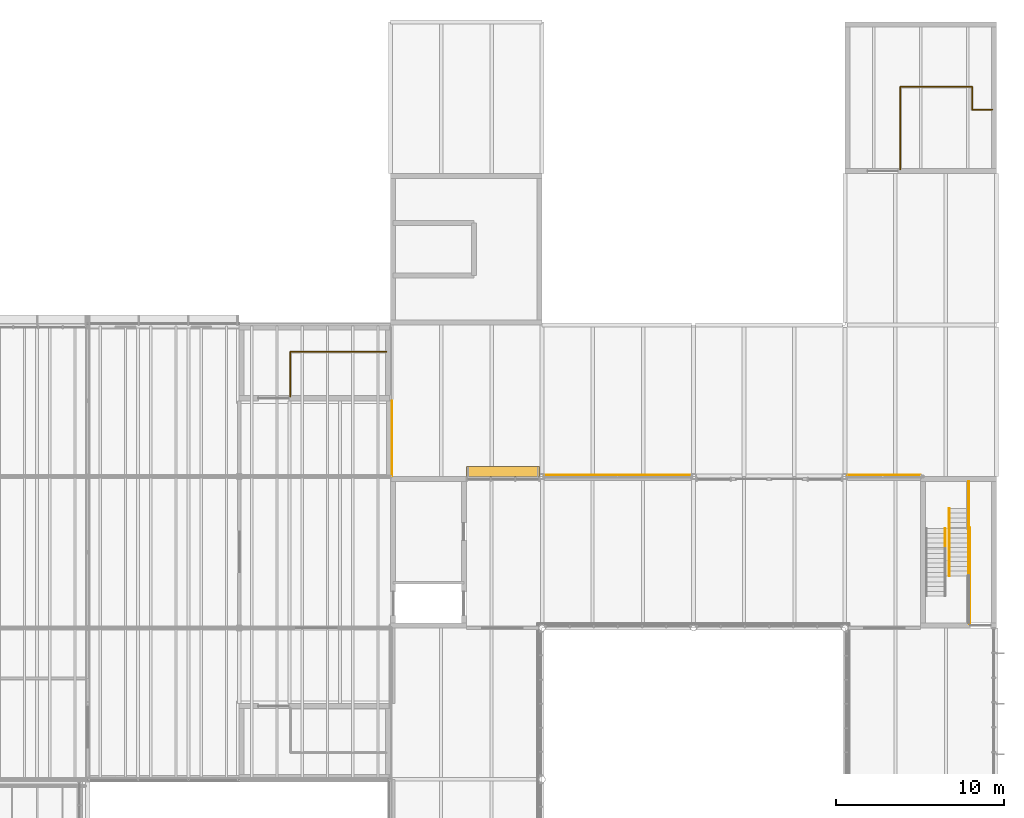
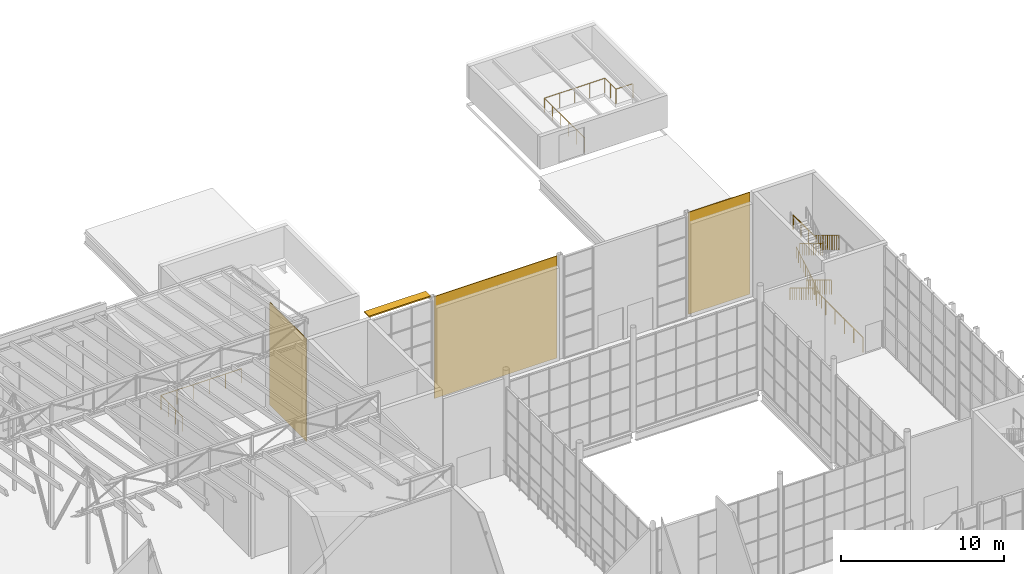
# One storey, part 90 of 90: 9 railings, 3 coverings, 1 shading device.
"""IFC4 building model written with IfcOpenShell, lengths in metres."""

from ifc_helpers import new_model, si_unit, direction, frame, frame_2d, origin, origin_2d, place, context, subcontext, project, spatial, rectangle, circle, extrude, material, layer, layer_set, type_object, element, save


model = new_model("IFC4")

# Units and contexts
model_context = context("Model", 3, precision=1e-05, world=origin(), true_north=direction((0.0, 1.0)))
body_context = subcontext(model_context, "Body", "Model", "MODEL_VIEW")
ifc_project = project(units=[si_unit("LENGTHUNIT", "METRE"), si_unit("AREAUNIT", "SQUARE_METRE"), si_unit("VOLUMEUNIT", "CUBIC_METRE"), si_unit("PLANEANGLEUNIT", "RADIAN"), si_unit("MASSUNIT", "GRAM", prefix="KILO")], contexts=[model_context])

# Site, building, storey
site_placement = place(None, origin())
site = spatial("IfcSite", under=ifc_project, at=site_placement, CompositionType="ELEMENT")
building_placement = place(site_placement, origin())
building = spatial("IfcBuilding", under=site, at=building_placement, Name="Halyard Row Museum", CompositionType="ELEMENT")
storey_placement = place(building_placement, frame((0.0, 0.0, 13.39990234375)))
storey = spatial("IfcBuildingStorey", under=building, at=storey_placement, Name="L03", CompositionType="ELEMENT", Elevation=13.39990234375)

# Railings
ifc_material_1 = material(Name="Steel Grade 300", Category="steel")
railing_type_1 = type_object("IfcRailingType", Name="Guard GR2 steel balustrade 1100", PredefinedType="GUARDRAIL", material=ifc_material_1)
railing_1_placement = place(storey_placement, frame((106.35009765625, 34.10009765625, 0.169677734375)))
element("IfcRailing", 1, at=railing_1_placement, inside=storey, type_object=railing_type_1, Name="Guard GR071", PredefinedType="GUARDRAIL", context=body_context, shape_type="SweptSolid", body=[
    extrude(circle(Radius=0.02392578125, at=origin_2d()), frame((0.0, 0.0, 1.076171875), z_axis=(0.0, -0.855578329207, 0.517673374428), x_axis=(1.0, 0.0, 0.0)), (0.0, 0.0, 1.0), 0.327392578125),
    extrude(circle(Radius=0.02392578125, at=origin_2d()), frame((0.0, -0.280029296875, 1.24560546875), z_axis=(0.0, -0.855247904055, 0.518219087461), x_axis=(1.0, 0.0, 0.0)), (0.0, 0.0, 1.0), 0.327392578125),
    extrude(circle(Radius=0.02392578125, at=origin_2d()), frame((0.0, -0.56005859375, 1.4150390625), z_axis=(0.0, -0.855247904055, 0.518219087461), x_axis=(1.0, 0.0, 0.0)), (0.0, 0.0, 1.0), 0.327392578125),
    extrude(circle(Radius=0.02392578125, at=origin_2d()), frame((0.0, -0.840087890625, 1.5849609375), z_axis=(0.0, -0.855578329207, 0.517673374428), x_axis=(1.0, 0.0, 0.0)), (0.0, 0.0, 1.0), 0.327392578125),
    extrude(circle(Radius=0.02392578125, at=origin_2d()), frame((0.0, -1.1201171875, 1.75439453125), z_axis=(0.0, -0.855247904055, 0.518219087461), x_axis=(1.0, 0.0, 0.0)), (0.0, 0.0, 1.0), 0.327392578125),
    extrude(circle(Radius=0.02392578125, at=origin_2d()), frame((0.0, -1.400146484375, 1.923828125), z_axis=(0.0, -0.855578329207, 0.517673374428), x_axis=(1.0, 0.0, 0.0)), (0.0, 0.0, 1.0), 0.327392578125),
    extrude(circle(Radius=0.02392578125, at=origin_2d()), frame((0.0, -1.68017578125, 2.09326171875), z_axis=(0.0, -0.855247904055, 0.518219087461), x_axis=(1.0, 0.0, 0.0)), (0.0, 0.0, 1.0), 0.327392578125),
    extrude(circle(Radius=0.02392578125, at=origin_2d()), frame((0.0, -1.960205078125, 2.26318359375), z_axis=(0.0, -0.855378239897, 0.518003925382), x_axis=(1.0, 0.0, 0.0)), (0.0, 0.0, 1.0), 0.3271484375),
    extrude(circle(Radius=0.02392578125, at=origin_2d()), frame((0.0, -2.239990234375, 2.4326171875), z_axis=(0.0, -0.855247904055, 0.518219087461), x_axis=(1.0, 0.0, 0.0)), (0.0, 0.0, 1.0), 0.327392578125),
    extrude(circle(Radius=0.02392578125, at=origin_2d()), frame((0.0, -2.52001953125, 2.60205078125), z_axis=(0.0, -0.855578329207, 0.517673374428), x_axis=(1.0, 0.0, 0.0)), (0.0, 0.0, 1.0), 0.327392578125),
    extrude(circle(Radius=0.02392578125, at=origin_2d()), frame((0.0, -2.800048828125, 2.771484375), z_axis=(0.0, -0.855247904055, 0.518219087461), x_axis=(1.0, 0.0, 0.0)), (0.0, 0.0, 1.0), 0.327392578125),
    extrude(circle(Radius=0.02099609375, at=origin_2d()), origin(), (0.0, 0.0, 1.0), 1.052001953125),
    extrude(circle(Radius=0.02099609375, at=origin_2d()), frame((0.0, -0.280029296875, 0.16943359375)), (0.0, 0.0, 1.0), 1.052001953125),
    extrude(circle(Radius=0.02099609375, at=origin_2d()), frame((0.0, -0.56005859375, 0.339111328125)), (0.0, 0.0, 1.0), 1.052001953125),
    extrude(circle(Radius=0.02099609375, at=origin_2d()), frame((0.0, -0.840087890625, 0.5087890625)), (0.0, 0.0, 1.0), 1.052001953125),
    extrude(circle(Radius=0.02099609375, at=origin_2d()), frame((0.0, -1.1201171875, 0.67822265625)), (0.0, 0.0, 1.0), 1.052001953125),
    extrude(circle(Radius=0.02099609375, at=origin_2d()), frame((0.0, -1.400146484375, 0.847900390625)), (0.0, 0.0, 1.0), 1.052001953125),
    extrude(circle(Radius=0.02099609375, at=origin_2d()), frame((0.0, -1.68017578125, 1.017333984375)), (0.0, 0.0, 1.0), 1.052001953125),
    extrude(circle(Radius=0.02099609375, at=origin_2d()), frame((0.0, -1.960205078125, 1.18701171875)), (0.0, 0.0, 1.0), 1.052001953125),
    extrude(circle(Radius=0.02099609375, at=origin_2d()), frame((0.0, -2.239990234375, 1.3564453125)), (0.0, 0.0, 1.0), 1.052001953125),
    extrude(circle(Radius=0.02099609375, at=origin_2d()), frame((0.0, -2.52001953125, 1.526123046875)), (0.0, 0.0, 1.0), 1.052001953125),
    extrude(circle(Radius=0.02099609375, at=origin_2d()), frame((0.0, -2.800048828125, 1.695556640625)), (0.0, 0.0, 1.0), 1.052001953125),
    extrude(circle(Radius=0.02099609375, at=origin_2d()), frame((0.0, -3.080078125, 1.865234375)), (0.0, 0.0, 1.0), 1.052001953125),
])
railing_2_placement = place(storey_placement, frame((106.35009765625, 32.89990234375, 4.2392578125)))
element("IfcRailing", 2, at=railing_2_placement, inside=storey, type_object=railing_type_1, Name="Guard GR072", PredefinedType="GUARDRAIL", context=body_context, shape_type="SweptSolid", body=[
    extrude(circle(Radius=0.02392578125, at=origin_2d()), frame((0.0, 0.0, 1.076171875), z_axis=(0.0, -0.855378239897, 0.518003925382), x_axis=(1.0, 0.0, 0.0)), (0.0, 0.0, 1.0), 0.3271484375),
    extrude(circle(Radius=0.02392578125, at=origin_2d()), frame((0.0, -0.27978515625, 1.24560546875), z_axis=(0.0, -0.855247904055, 0.518219087461), x_axis=(1.0, 0.0, 0.0)), (0.0, 0.0, 1.0), 0.327392578125),
    extrude(circle(Radius=0.02392578125, at=origin_2d()), frame((0.0, -0.559814453125, 1.4150390625), z_axis=(0.0, -0.855578329207, 0.517673374428), x_axis=(1.0, 0.0, 0.0)), (0.0, 0.0, 1.0), 0.327392578125),
    extrude(circle(Radius=0.02392578125, at=origin_2d()), frame((0.0, -0.83984375, 1.58447265625), z_axis=(0.0, -0.855247904055, 0.518219087461), x_axis=(1.0, 0.0, 0.0)), (0.0, 0.0, 1.0), 0.327392578125),
    extrude(circle(Radius=0.02392578125, at=origin_2d()), frame((0.0, -1.119873046875, 1.75439453125), z_axis=(0.0, -0.855247904055, 0.518219087461), x_axis=(1.0, 0.0, 0.0)), (0.0, 0.0, 1.0), 0.327392578125),
    extrude(circle(Radius=0.02392578125, at=origin_2d()), frame((0.0, -1.39990234375, 1.923828125), z_axis=(0.0, -0.855578329207, 0.517673374428), x_axis=(1.0, 0.0, 0.0)), (0.0, 0.0, 1.0), 0.327392578125),
    extrude(circle(Radius=0.02392578125, at=origin_2d()), frame((0.0, -1.679931640625, 2.09326171875), z_axis=(0.0, -0.855247904055, 0.518219087461), x_axis=(1.0, 0.0, 0.0)), (0.0, 0.0, 1.0), 0.327392578125),
    extrude(circle(Radius=0.02392578125, at=origin_2d()), frame((0.0, -1.9599609375, 2.26318359375), z_axis=(0.0, -0.855578329207, 0.517673374428), x_axis=(1.0, 0.0, 0.0)), (0.0, 0.0, 1.0), 0.327392578125),
    extrude(circle(Radius=0.02392578125, at=origin_2d()), frame((0.0, -2.239990234375, 2.4326171875), z_axis=(0.0, -0.855247904055, 0.518219087461), x_axis=(1.0, 0.0, 0.0)), (0.0, 0.0, 1.0), 0.327392578125),
    extrude(circle(Radius=0.02392578125, at=origin_2d()), frame((0.0, -2.52001953125, 2.60205078125), z_axis=(0.0, -0.855378239897, 0.518003925382), x_axis=(1.0, 0.0, 0.0)), (0.0, 0.0, 1.0), 0.3271484375),
    extrude(circle(Radius=0.02099609375, at=origin_2d()), origin(), (0.0, 0.0, 1.0), 1.052001953125),
    extrude(circle(Radius=0.02099609375, at=origin_2d()), frame((0.0, -0.27978515625, 0.16943359375)), (0.0, 0.0, 1.0), 1.052001953125),
    extrude(circle(Radius=0.02099609375, at=origin_2d()), frame((0.0, -0.559814453125, 0.339111328125)), (0.0, 0.0, 1.0), 1.052001953125),
    extrude(circle(Radius=0.02099609375, at=origin_2d()), frame((0.0, -0.83984375, 0.508544921875)), (0.0, 0.0, 1.0), 1.052001953125),
    extrude(circle(Radius=0.02099609375, at=origin_2d()), frame((0.0, -1.119873046875, 0.67822265625)), (0.0, 0.0, 1.0), 1.052001953125),
    extrude(circle(Radius=0.02099609375, at=origin_2d()), frame((0.0, -1.39990234375, 0.847900390625)), (0.0, 0.0, 1.0), 1.052001953125),
    extrude(circle(Radius=0.02099609375, at=origin_2d()), frame((0.0, -1.679931640625, 1.017333984375)), (0.0, 0.0, 1.0), 1.052001953125),
    extrude(circle(Radius=0.02099609375, at=origin_2d()), frame((0.0, -1.9599609375, 1.18701171875)), (0.0, 0.0, 1.0), 1.052001953125),
    extrude(circle(Radius=0.02099609375, at=origin_2d()), frame((0.0, -2.239990234375, 1.3564453125)), (0.0, 0.0, 1.0), 1.052001953125),
    extrude(circle(Radius=0.02099609375, at=origin_2d()), frame((0.0, -2.52001953125, 1.526123046875)), (0.0, 0.0, 1.0), 1.052001953125),
    extrude(circle(Radius=0.02099609375, at=origin_2d()), frame((0.0, -2.7998046875, 1.695556640625)), (0.0, 0.0, 1.0), 1.052001953125),
])
railing_3_placement = place(storey_placement, frame((106.35009765625, 32.89990234375, 4.069580078125)))
element("IfcRailing", 3, at=railing_3_placement, inside=storey, type_object=railing_type_1, Name="Guard GR074", PredefinedType="GUARDRAIL", context=body_context, shape_type="SweptSolid", body=[
    extrude(circle(Radius=0.02392578125, at=origin_2d()), frame((0.0, 0.0, 1.076171875), z_axis=(0.0, 1.0, 0.0), x_axis=(-1.0, 0.0, 0.0)), (0.0, 0.0, 1.0), 2.800048828125),
    extrude(circle(Radius=0.02099609375, at=origin_2d()), origin(), (0.0, 0.0, 1.0), 1.052001953125),
    extrude(circle(Radius=0.02099609375, at=origin_2d()), frame((0.0, 0.933349609375, 0.0)), (0.0, 0.0, 1.0), 1.052001953125),
    extrude(circle(Radius=0.02099609375, at=origin_2d()), frame((0.0, 1.86669921875, 0.0)), (0.0, 0.0, 1.0), 1.052001953125),
    extrude(circle(Radius=0.02099609375, at=origin_2d()), frame((0.0, 2.800048828125, 0.0)), (0.0, 0.0, 1.0), 1.052001953125),
])
railing_4_placement = place(storey_placement, frame((66.0400390625, 40.739990234375, 0.0)))
element("IfcRailing", 4, at=railing_4_placement, inside=storey, type_object=railing_type_1, Name="Guard GR145", PredefinedType="GUARDRAIL", context=body_context, shape_type="SweptSolid", body=[
    extrude(circle(Radius=0.02392578125, at=origin_2d()), frame((0.0, 0.0, 1.076171875), z_axis=(0.0, 1.0, 0.0), x_axis=(-1.0, 0.0, 0.0)), (0.0, 0.0, 1.0), 2.669921875),
    extrude(circle(Radius=0.02392578125, at=origin_2d()), frame((0.0, 2.669921875, 1.076171875), z_axis=(1.0, 0.0, 0.0), x_axis=(0.0, 1.0, 0.0)), (0.0, 0.0, 1.0), 5.719970703125),
    extrude(circle(Radius=0.02099609375, at=origin_2d()), origin(), (0.0, 0.0, 1.0), 1.052001953125),
    extrude(circle(Radius=0.02099609375, at=origin_2d()), frame((0.0, 0.889892578125, 0.0)), (0.0, 0.0, 1.0), 1.052001953125),
    extrude(circle(Radius=0.02099609375, at=origin_2d()), frame((0.0, 1.780029296875, 0.0)), (0.0, 0.0, 1.0), 1.052001953125),
    extrude(circle(Radius=0.02099609375, at=origin_2d()), frame((0.0, 2.669921875, 0.0)), (0.0, 0.0, 1.0), 1.052001953125),
    extrude(circle(Radius=0.02099609375, at=origin_2d()), frame((1.14404296875, 2.669921875, 0.0)), (0.0, 0.0, 1.0), 1.052001953125),
    extrude(circle(Radius=0.02099609375, at=origin_2d()), frame((2.2880859375, 2.669921875, 0.0)), (0.0, 0.0, 1.0), 1.052001953125),
    extrude(circle(Radius=0.02099609375, at=origin_2d()), frame((3.431884765625, 2.669921875, 0.0)), (0.0, 0.0, 1.0), 1.052001953125),
    extrude(circle(Radius=0.02099609375, at=origin_2d()), frame((4.575927734375, 2.669921875, 0.0)), (0.0, 0.0, 1.0), 1.052001953125),
    extrude(circle(Radius=0.02099609375, at=origin_2d()), frame((5.719970703125, 2.669921875, 0.0)), (0.0, 0.0, 1.0), 1.052001953125),
])
railing_5_placement = place(storey_placement, frame((106.409912109375, 32.9599609375, 0.0)))
element("IfcRailing", 5, at=railing_5_placement, inside=storey, type_object=railing_type_1, Name="Guard GR168", PredefinedType="GUARDRAIL", context=body_context, shape_type="SweptSolid", body=[
    extrude(circle(Radius=0.02392578125, at=origin_2d()), frame((0.0, 0.0, 1.076171875), z_axis=(0.0, -1.0, 0.0), x_axis=(1.0, 0.0, 0.0)), (0.0, 0.0, 1.0), 5.719970703125),
    extrude(circle(Radius=0.02099609375, at=origin_2d()), origin(), (0.0, 0.0, 1.0), 1.052001953125),
    extrude(circle(Radius=0.02099609375, at=origin_2d()), frame((0.0, -1.14404296875, 0.0)), (0.0, 0.0, 1.0), 1.052001953125),
    extrude(circle(Radius=0.02099609375, at=origin_2d()), frame((0.0, -2.2880859375, 0.0)), (0.0, 0.0, 1.0), 1.052001953125),
    extrude(circle(Radius=0.02099609375, at=origin_2d()), frame((0.0, -3.431884765625, 0.0)), (0.0, 0.0, 1.0), 1.052001953125),
    extrude(circle(Radius=0.02099609375, at=origin_2d()), frame((0.0, -4.575927734375, 0.0)), (0.0, 0.0, 1.0), 1.052001953125),
    extrude(circle(Radius=0.02099609375, at=origin_2d()), frame((0.0, -5.719970703125, 0.0)), (0.0, 0.0, 1.0), 1.052001953125),
])
railing_6_placement = place(storey_placement, frame((102.2900390625, 54.239990234375, 0.0)))
element("IfcRailing", 6, at=railing_6_placement, inside=storey, type_object=railing_type_1, Name="Guard GR189", PredefinedType="GUARDRAIL", context=body_context, shape_type="SweptSolid", body=[
    extrude(circle(Radius=0.02392578125, at=origin_2d()), frame((0.0, 0.0, 1.076171875), z_axis=(0.0, 1.0, 0.0), x_axis=(-1.0, 0.0, 0.0)), (0.0, 0.0, 1.0), 4.919921875),
    extrude(circle(Radius=0.02392578125, at=origin_2d()), frame((0.0, 4.919921875, 1.076171875), z_axis=(1.0, 0.0, 0.0), x_axis=(0.0, 1.0, 0.0)), (0.0, 0.0, 1.0), 4.27001953125),
    extrude(circle(Radius=0.02392578125, at=origin_2d()), frame((4.27001953125, 4.919921875, 1.076171875), z_axis=(0.0, -1.0, 0.0), x_axis=(1.0, 0.0, 0.0)), (0.0, 0.0, 1.0), 1.35986328125),
    extrude(circle(Radius=0.02392578125, at=origin_2d()), frame((4.27001953125, 3.56005859375, 1.076171875), z_axis=(1.0, 0.0, 0.0), x_axis=(0.0, 1.0, 0.0)), (0.0, 0.0, 1.0), 1.199951171875),
    extrude(circle(Radius=0.02099609375, at=origin_2d()), origin(), (0.0, 0.0, 1.0), 1.052001953125),
    extrude(circle(Radius=0.02099609375, at=origin_2d()), frame((0.0, 0.98388671875, 0.0)), (0.0, 0.0, 1.0), 1.052001953125),
    extrude(circle(Radius=0.02099609375, at=origin_2d()), frame((0.0, 1.968017578125, 0.0)), (0.0, 0.0, 1.0), 1.052001953125),
    extrude(circle(Radius=0.02099609375, at=origin_2d()), frame((0.0, 2.951904296875, 0.0)), (0.0, 0.0, 1.0), 1.052001953125),
    extrude(circle(Radius=0.02099609375, at=origin_2d()), frame((0.0, 3.93603515625, 0.0)), (0.0, 0.0, 1.0), 1.052001953125),
    extrude(circle(Radius=0.02099609375, at=origin_2d()), frame((0.0, 4.919921875, 0.0)), (0.0, 0.0, 1.0), 1.052001953125),
    extrude(circle(Radius=0.02099609375, at=origin_2d()), frame((1.0673828125, 4.919921875, 0.0)), (0.0, 0.0, 1.0), 1.052001953125),
    extrude(circle(Radius=0.02099609375, at=origin_2d()), frame((2.135009765625, 4.919921875, 0.0)), (0.0, 0.0, 1.0), 1.052001953125),
    extrude(circle(Radius=0.02099609375, at=origin_2d()), frame((3.20263671875, 4.919921875, 0.0)), (0.0, 0.0, 1.0), 1.052001953125),
    extrude(circle(Radius=0.02099609375, at=origin_2d()), frame((4.27001953125, 4.919921875, 0.0)), (0.0, 0.0, 1.0), 1.052001953125),
    extrude(circle(Radius=0.02099609375, at=origin_2d()), frame((4.27001953125, 4.239990234375, 0.0)), (0.0, 0.0, 1.0), 1.052001953125),
    extrude(circle(Radius=0.02099609375, at=origin_2d()), frame((4.27001953125, 3.56005859375, 0.0)), (0.0, 0.0, 1.0), 1.052001953125),
    extrude(circle(Radius=0.02099609375, at=origin_2d()), frame((5.469970703125, 3.56005859375, 0.0)), (0.0, 0.0, 1.0), 1.052001953125),
])
ifc_material_2 = material(Name="Steel Grade 300", Category="steel")
railing_type_2 = type_object("IfcRailingType", Name="Handrail HR2 steel 900", PredefinedType="HANDRAIL", material=ifc_material_2)
railing_7_placement = place(storey_placement, frame((105.199951171875, 34.10009765625, 0.169677734375)))
element("IfcRailing", 7, at=railing_7_placement, inside=storey, type_object=railing_type_2, Name="Handrail HR103", PredefinedType="HANDRAIL", context=body_context, shape_type="SweptSolid", body=[
    extrude(circle(Radius=0.02392578125, at=origin_2d()), frame((0.0, 0.0, 0.8759765625), z_axis=(0.0, -0.855578329207, 0.517673374428), x_axis=(1.0, 0.0, 0.0)), (0.0, 0.0, 1.0), 0.327392578125),
    extrude(circle(Radius=0.02392578125, at=origin_2d()), frame((0.0, -0.280029296875, 1.04541015625), z_axis=(0.0, -0.855247904055, 0.518219087461), x_axis=(1.0, 0.0, 0.0)), (0.0, 0.0, 1.0), 0.327392578125),
    extrude(circle(Radius=0.02392578125, at=origin_2d()), frame((0.0, -0.56005859375, 1.21484375), z_axis=(0.0, -0.855247904055, 0.518219087461), x_axis=(1.0, 0.0, 0.0)), (0.0, 0.0, 1.0), 0.327392578125),
    extrude(circle(Radius=0.02392578125, at=origin_2d()), frame((0.0, -0.840087890625, 1.384765625), z_axis=(0.0, -0.855578329207, 0.517673374428), x_axis=(1.0, 0.0, 0.0)), (0.0, 0.0, 1.0), 0.327392578125),
    extrude(circle(Radius=0.02392578125, at=origin_2d()), frame((0.0, -1.1201171875, 1.55419921875), z_axis=(0.0, -0.855247904055, 0.518219087461), x_axis=(1.0, 0.0, 0.0)), (0.0, 0.0, 1.0), 0.327392578125),
    extrude(circle(Radius=0.02392578125, at=origin_2d()), frame((0.0, -1.400146484375, 1.7236328125), z_axis=(0.0, -0.855578329207, 0.517673374428), x_axis=(1.0, 0.0, 0.0)), (0.0, 0.0, 1.0), 0.327392578125),
    extrude(circle(Radius=0.02392578125, at=origin_2d()), frame((0.0, -1.68017578125, 1.89306640625), z_axis=(0.0, -0.855247904055, 0.518219087461), x_axis=(1.0, 0.0, 0.0)), (0.0, 0.0, 1.0), 0.327392578125),
    extrude(circle(Radius=0.02392578125, at=origin_2d()), frame((0.0, -1.960205078125, 2.06298828125), z_axis=(0.0, -0.855378239897, 0.518003925382), x_axis=(1.0, 0.0, 0.0)), (0.0, 0.0, 1.0), 0.3271484375),
    extrude(circle(Radius=0.02392578125, at=origin_2d()), frame((0.0, -2.239990234375, 2.232421875), z_axis=(0.0, -0.855247904055, 0.518219087461), x_axis=(1.0, 0.0, 0.0)), (0.0, 0.0, 1.0), 0.327392578125),
    extrude(circle(Radius=0.02392578125, at=origin_2d()), frame((0.0, -2.52001953125, 2.40185546875), z_axis=(0.0, -0.855578329207, 0.517673374428), x_axis=(1.0, 0.0, 0.0)), (0.0, 0.0, 1.0), 0.327392578125),
    extrude(circle(Radius=0.02392578125, at=origin_2d()), frame((0.0, -2.800048828125, 2.5712890625), z_axis=(0.0, -0.855247904055, 0.518219087461), x_axis=(1.0, 0.0, 0.0)), (0.0, 0.0, 1.0), 0.327392578125),
    extrude(circle(Radius=0.02099609375, at=origin_2d()), origin(), (0.0, 0.0, 1.0), 0.851806640625),
    extrude(circle(Radius=0.02099609375, at=origin_2d()), frame((0.0, -0.280029296875, 0.16943359375)), (0.0, 0.0, 1.0), 0.851806640625),
    extrude(circle(Radius=0.02099609375, at=origin_2d()), frame((0.0, -0.56005859375, 0.339111328125)), (0.0, 0.0, 1.0), 0.851806640625),
    extrude(circle(Radius=0.02099609375, at=origin_2d()), frame((0.0, -0.840087890625, 0.5087890625)), (0.0, 0.0, 1.0), 0.851806640625),
    extrude(circle(Radius=0.02099609375, at=origin_2d()), frame((0.0, -1.1201171875, 0.67822265625)), (0.0, 0.0, 1.0), 0.851806640625),
    extrude(circle(Radius=0.02099609375, at=origin_2d()), frame((0.0, -1.400146484375, 0.847900390625)), (0.0, 0.0, 1.0), 0.851806640625),
    extrude(circle(Radius=0.02099609375, at=origin_2d()), frame((0.0, -1.68017578125, 1.017333984375)), (0.0, 0.0, 1.0), 0.851806640625),
    extrude(circle(Radius=0.02099609375, at=origin_2d()), frame((0.0, -1.960205078125, 1.18701171875)), (0.0, 0.0, 1.0), 0.851806640625),
    extrude(circle(Radius=0.02099609375, at=origin_2d()), frame((0.0, -2.239990234375, 1.3564453125)), (0.0, 0.0, 1.0), 0.851806640625),
    extrude(circle(Radius=0.02099609375, at=origin_2d()), frame((0.0, -2.52001953125, 1.526123046875)), (0.0, 0.0, 1.0), 0.851806640625),
    extrude(circle(Radius=0.02099609375, at=origin_2d()), frame((0.0, -2.800048828125, 1.695556640625)), (0.0, 0.0, 1.0), 0.851806640625),
    extrude(circle(Radius=0.02099609375, at=origin_2d()), frame((0.0, -3.080078125, 1.865234375)), (0.0, 0.0, 1.0), 0.851806640625),
])
railing_8_placement = place(storey_placement, frame((104.949951171875, 29.820068359375, 2.204345703125)))
element("IfcRailing", 8, at=railing_8_placement, inside=storey, type_object=railing_type_2, Name="Handrail HR105", PredefinedType="HANDRAIL", context=body_context, shape_type="SweptSolid", body=[
    extrude(circle(Radius=0.02392578125, at=origin_2d()), frame((0.0, 0.0, 0.8759765625), z_axis=(0.0, 0.855247904055, 0.518219087461), x_axis=(-1.0, 0.0, 0.0)), (0.0, 0.0, 1.0), 0.327392578125),
    extrude(circle(Radius=0.02392578125, at=origin_2d()), frame((0.0, 0.280029296875, 1.04541015625), z_axis=(0.0, 0.855378239897, 0.518003925382), x_axis=(-1.0, 0.0, 0.0)), (0.0, 0.0, 1.0), 0.3271484375),
    extrude(circle(Radius=0.02392578125, at=origin_2d()), frame((0.0, 0.559814453125, 1.21484375), z_axis=(0.0, 0.855247904055, 0.518219087461), x_axis=(-1.0, 0.0, 0.0)), (0.0, 0.0, 1.0), 0.327392578125),
    extrude(circle(Radius=0.02392578125, at=origin_2d()), frame((0.0, 0.83984375, 1.384765625), z_axis=(0.0, 0.855247904055, 0.518219087461), x_axis=(-1.0, 0.0, 0.0)), (0.0, 0.0, 1.0), 0.327392578125),
    extrude(circle(Radius=0.02392578125, at=origin_2d()), frame((0.0, 1.119873046875, 1.55419921875), z_axis=(0.0, 0.855578329207, 0.517673374428), x_axis=(-1.0, 0.0, 0.0)), (0.0, 0.0, 1.0), 0.327392578125),
    extrude(circle(Radius=0.02392578125, at=origin_2d()), frame((0.0, 1.39990234375, 1.7236328125), z_axis=(0.0, 0.855247904055, 0.518219087461), x_axis=(-1.0, 0.0, 0.0)), (0.0, 0.0, 1.0), 0.327392578125),
    extrude(circle(Radius=0.02392578125, at=origin_2d()), frame((0.0, 1.679931640625, 1.8935546875), z_axis=(0.0, 0.855578329207, 0.517673374428), x_axis=(-1.0, 0.0, 0.0)), (0.0, 0.0, 1.0), 0.327392578125),
    extrude(circle(Radius=0.02392578125, at=origin_2d()), frame((0.0, 1.9599609375, 2.06298828125), z_axis=(0.0, 0.855247904055, 0.518219087461), x_axis=(-1.0, 0.0, 0.0)), (0.0, 0.0, 1.0), 0.327392578125),
    extrude(circle(Radius=0.02392578125, at=origin_2d()), frame((0.0, 2.239990234375, 2.232421875), z_axis=(0.0, 0.855578329207, 0.517673374428), x_axis=(-1.0, 0.0, 0.0)), (0.0, 0.0, 1.0), 0.327392578125),
    extrude(circle(Radius=0.02392578125, at=origin_2d()), frame((0.0, 2.52001953125, 2.40185546875), z_axis=(0.0, 0.855247904055, 0.518219087461), x_axis=(-1.0, 0.0, 0.0)), (0.0, 0.0, 1.0), 0.327392578125),
    extrude(circle(Radius=0.02392578125, at=origin_2d()), frame((0.0, 2.800048828125, 2.57177734375), z_axis=(0.0, 0.855378239897, 0.518003925382), x_axis=(-1.0, 0.0, 0.0)), (0.0, 0.0, 1.0), 0.3271484375),
    extrude(circle(Radius=0.02099609375, at=origin_2d()), origin(), (0.0, 0.0, 1.0), 0.851806640625),
    extrude(circle(Radius=0.02099609375, at=origin_2d()), frame((0.0, 0.280029296875, 0.169677734375)), (0.0, 0.0, 1.0), 0.851806640625),
    extrude(circle(Radius=0.02099609375, at=origin_2d()), frame((0.0, 0.559814453125, 0.339111328125)), (0.0, 0.0, 1.0), 0.851806640625),
    extrude(circle(Radius=0.02099609375, at=origin_2d()), frame((0.0, 0.83984375, 0.5087890625)), (0.0, 0.0, 1.0), 0.851806640625),
    extrude(circle(Radius=0.02099609375, at=origin_2d()), frame((0.0, 1.119873046875, 0.678466796875)), (0.0, 0.0, 1.0), 0.851806640625),
    extrude(circle(Radius=0.02099609375, at=origin_2d()), frame((0.0, 1.39990234375, 0.847900390625)), (0.0, 0.0, 1.0), 0.851806640625),
    extrude(circle(Radius=0.02099609375, at=origin_2d()), frame((0.0, 1.679931640625, 1.017578125)), (0.0, 0.0, 1.0), 0.851806640625),
    extrude(circle(Radius=0.02099609375, at=origin_2d()), frame((0.0, 1.9599609375, 1.18701171875)), (0.0, 0.0, 1.0), 0.851806640625),
    extrude(circle(Radius=0.02099609375, at=origin_2d()), frame((0.0, 2.239990234375, 1.356689453125)), (0.0, 0.0, 1.0), 0.851806640625),
    extrude(circle(Radius=0.02099609375, at=origin_2d()), frame((0.0, 2.52001953125, 1.526123046875)), (0.0, 0.0, 1.0), 0.851806640625),
    extrude(circle(Radius=0.02099609375, at=origin_2d()), frame((0.0, 2.800048828125, 1.69580078125)), (0.0, 0.0, 1.0), 0.851806640625),
    extrude(circle(Radius=0.02099609375, at=origin_2d()), frame((0.0, 3.079833984375, 1.865234375)), (0.0, 0.0, 1.0), 0.851806640625),
])
railing_9_placement = place(storey_placement, frame((105.199951171875, 32.89990234375, 4.2392578125)))
element("IfcRailing", 9, at=railing_9_placement, inside=storey, type_object=railing_type_2, Name="Handrail HR106", PredefinedType="HANDRAIL", context=body_context, shape_type="SweptSolid", body=[
    extrude(circle(Radius=0.02392578125, at=origin_2d()), frame((0.0, 0.0, 0.8759765625), z_axis=(0.0, -0.855378239897, 0.518003925382), x_axis=(1.0, 0.0, 0.0)), (0.0, 0.0, 1.0), 0.3271484375),
    extrude(circle(Radius=0.02392578125, at=origin_2d()), frame((0.0, -0.27978515625, 1.04541015625), z_axis=(0.0, -0.855247904055, 0.518219087461), x_axis=(1.0, 0.0, 0.0)), (0.0, 0.0, 1.0), 0.327392578125),
    extrude(circle(Radius=0.02392578125, at=origin_2d()), frame((0.0, -0.559814453125, 1.21484375), z_axis=(0.0, -0.855578329207, 0.517673374428), x_axis=(1.0, 0.0, 0.0)), (0.0, 0.0, 1.0), 0.327392578125),
    extrude(circle(Radius=0.02392578125, at=origin_2d()), frame((0.0, -0.83984375, 1.38427734375), z_axis=(0.0, -0.855247904055, 0.518219087461), x_axis=(1.0, 0.0, 0.0)), (0.0, 0.0, 1.0), 0.327392578125),
    extrude(circle(Radius=0.02392578125, at=origin_2d()), frame((0.0, -1.119873046875, 1.55419921875), z_axis=(0.0, -0.855247904055, 0.518219087461), x_axis=(1.0, 0.0, 0.0)), (0.0, 0.0, 1.0), 0.327392578125),
    extrude(circle(Radius=0.02392578125, at=origin_2d()), frame((0.0, -1.39990234375, 1.7236328125), z_axis=(0.0, -0.855578329207, 0.517673374428), x_axis=(1.0, 0.0, 0.0)), (0.0, 0.0, 1.0), 0.327392578125),
    extrude(circle(Radius=0.02392578125, at=origin_2d()), frame((0.0, -1.679931640625, 1.89306640625), z_axis=(0.0, -0.855247904055, 0.518219087461), x_axis=(1.0, 0.0, 0.0)), (0.0, 0.0, 1.0), 0.327392578125),
    extrude(circle(Radius=0.02392578125, at=origin_2d()), frame((0.0, -1.9599609375, 2.06298828125), z_axis=(0.0, -0.855578329207, 0.517673374428), x_axis=(1.0, 0.0, 0.0)), (0.0, 0.0, 1.0), 0.327392578125),
    extrude(circle(Radius=0.02392578125, at=origin_2d()), frame((0.0, -2.239990234375, 2.232421875), z_axis=(0.0, -0.855247904055, 0.518219087461), x_axis=(1.0, 0.0, 0.0)), (0.0, 0.0, 1.0), 0.327392578125),
    extrude(circle(Radius=0.02392578125, at=origin_2d()), frame((0.0, -2.52001953125, 2.40185546875), z_axis=(0.0, -0.855378239897, 0.518003925382), x_axis=(1.0, 0.0, 0.0)), (0.0, 0.0, 1.0), 0.3271484375),
    extrude(circle(Radius=0.02099609375, at=origin_2d()), origin(), (0.0, 0.0, 1.0), 0.851806640625),
    extrude(circle(Radius=0.02099609375, at=origin_2d()), frame((0.0, -0.27978515625, 0.16943359375)), (0.0, 0.0, 1.0), 0.851806640625),
    extrude(circle(Radius=0.02099609375, at=origin_2d()), frame((0.0, -0.559814453125, 0.339111328125)), (0.0, 0.0, 1.0), 0.851806640625),
    extrude(circle(Radius=0.02099609375, at=origin_2d()), frame((0.0, -0.83984375, 0.508544921875)), (0.0, 0.0, 1.0), 0.851806640625),
    extrude(circle(Radius=0.02099609375, at=origin_2d()), frame((0.0, -1.119873046875, 0.67822265625)), (0.0, 0.0, 1.0), 0.851806640625),
    extrude(circle(Radius=0.02099609375, at=origin_2d()), frame((0.0, -1.39990234375, 0.847900390625)), (0.0, 0.0, 1.0), 0.851806640625),
    extrude(circle(Radius=0.02099609375, at=origin_2d()), frame((0.0, -1.679931640625, 1.017333984375)), (0.0, 0.0, 1.0), 0.851806640625),
    extrude(circle(Radius=0.02099609375, at=origin_2d()), frame((0.0, -1.9599609375, 1.18701171875)), (0.0, 0.0, 1.0), 0.851806640625),
    extrude(circle(Radius=0.02099609375, at=origin_2d()), frame((0.0, -2.239990234375, 1.3564453125)), (0.0, 0.0, 1.0), 0.851806640625),
    extrude(circle(Radius=0.02099609375, at=origin_2d()), frame((0.0, -2.52001953125, 1.526123046875)), (0.0, 0.0, 1.0), 0.851806640625),
    extrude(circle(Radius=0.02099609375, at=origin_2d()), frame((0.0, -2.7998046875, 1.695556640625)), (0.0, 0.0, 1.0), 0.851806640625),
])

# Coverings
ifc_material_3 = material(Name="Fire-retardant Type A timber battens", Category="wood")
ifc_layer_1 = layer(ifc_material_3, 0.050048828125)
ifc_layer_set_1 = layer_set([ifc_layer_1], Name="Fire-retardant Type A timber battens")
covering_type = type_object("IfcCoveringType", Name="Timber batten cladding 50", PredefinedType="CLADDING", material=ifc_layer_set_1)
covering_1_placement = place(storey_placement, frame((103.5, 36.0849609375, 0.0), z_axis=(0.0, 0.0, 1.0), x_axis=(-1.0, 0.0, 0.0)))
element("IfcCovering", 10, at=covering_1_placement, inside=storey, type_object=covering_type, Name="Cladding CLL03-009", PredefinedType="CLADDING", context=body_context, shape_type="SweptSolid", body=[
    extrude(rectangle(XDim=4.35009765625, YDim=0.050048828125, at=frame_2d((2.175048828125, 0.0))), origin(), (0.0, 0.0, 1.0), 7.635009765625),
])
covering_2_placement = place(storey_placement, frame((89.85009765625, 36.0849609375, 0.0), z_axis=(0.0, 0.0, 1.0), x_axis=(-1.0, 0.0, 0.0)))
element("IfcCovering", 11, at=covering_2_placement, inside=storey, type_object=covering_type, Name="Cladding CLL03-010", PredefinedType="CLADDING", context=body_context, shape_type="SweptSolid", body=[
    extrude(rectangle(XDim=8.7001953125, YDim=0.050048828125, at=frame_2d((4.35009765625, 0.0))), origin(), (0.0, 0.0, 1.0), 7.635009765625),
])
covering_3_placement = place(storey_placement, frame((72.0849609375, 36.0, 0.0), z_axis=(0.0, 0.0, 1.0), x_axis=(0.0, 1.0, 0.0)))
element("IfcCovering", 12, at=covering_3_placement, inside=storey, type_object=covering_type, Name="Cladding CLL03-011", PredefinedType="CLADDING", context=body_context, shape_type="SweptSolid", body=[
    extrude(rectangle(XDim=4.5, YDim=0.050048828125, at=frame_2d((2.25, 0.0))), origin(), (0.0, 0.0, 1.0), 7.67822265625),
])

# Shading device
ifc_material_4 = material(Name="Glue-laminated timber GL12, oiled", Category="wood")
ifc_layer_2 = layer(ifc_material_4, 0.10009765625)
ifc_layer_set_2 = layer_set([ifc_layer_2], Name="Glue-laminated timber GL12, oiled")
shading_device_type = type_object("IfcShadingDeviceType", Name="Timber louvre blade 100 x 600", PredefinedType="USERDEFINED", material=ifc_layer_set_2)
shading_device_placement = place(storey_placement, frame((78.675048828125, 36.300048828125, 7.735107421875), z_axis=(0.0, 0.0, 1.0), x_axis=(1.0, 0.0, 0.0)))
element("IfcShadingDevice", 13, at=shading_device_placement, inside=storey, type_object=shading_device_type, Name="Timber louvre", ObjectType="LOUVRE", PredefinedType="USERDEFINED", context=body_context, shape_type="SweptSolid", body=[
    extrude(rectangle(XDim=4.35009765625, YDim=0.60009765625, at=origin_2d()), origin(), (0.0, 0.0, 1.0), 0.10009765625),
])

save(model, "model.ifc")
